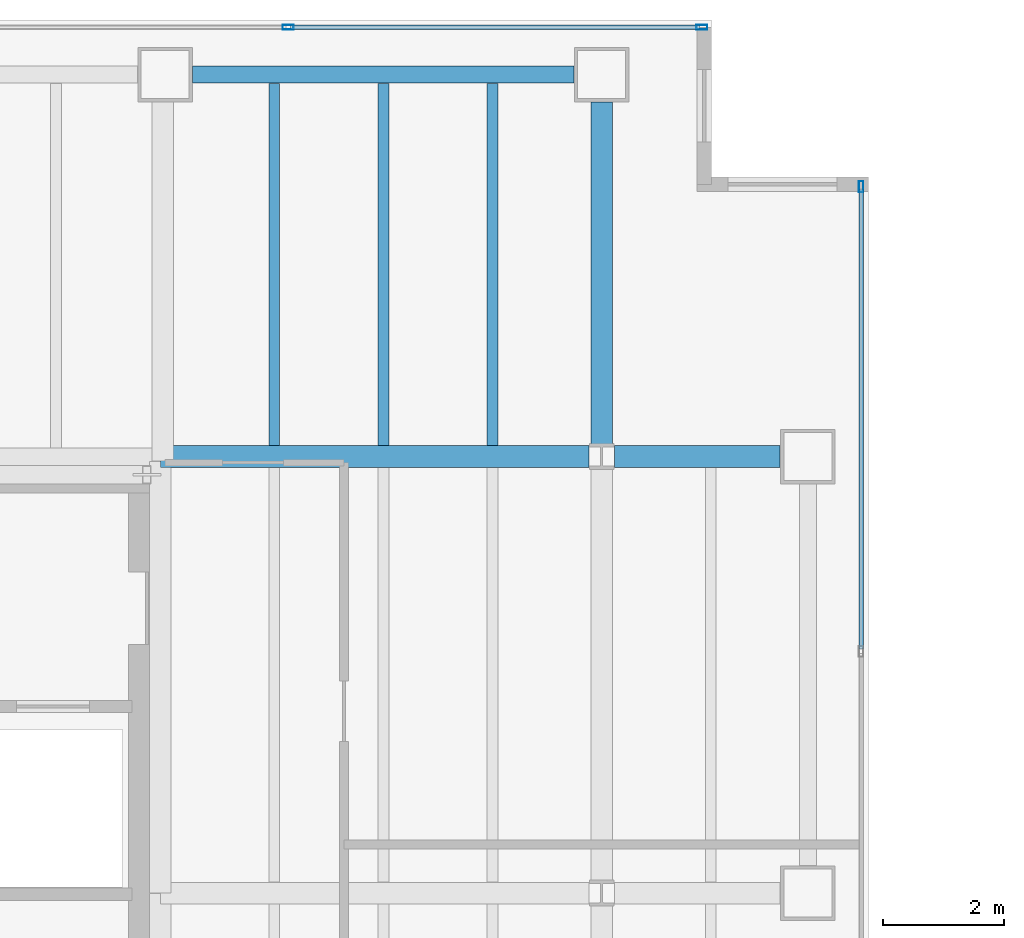
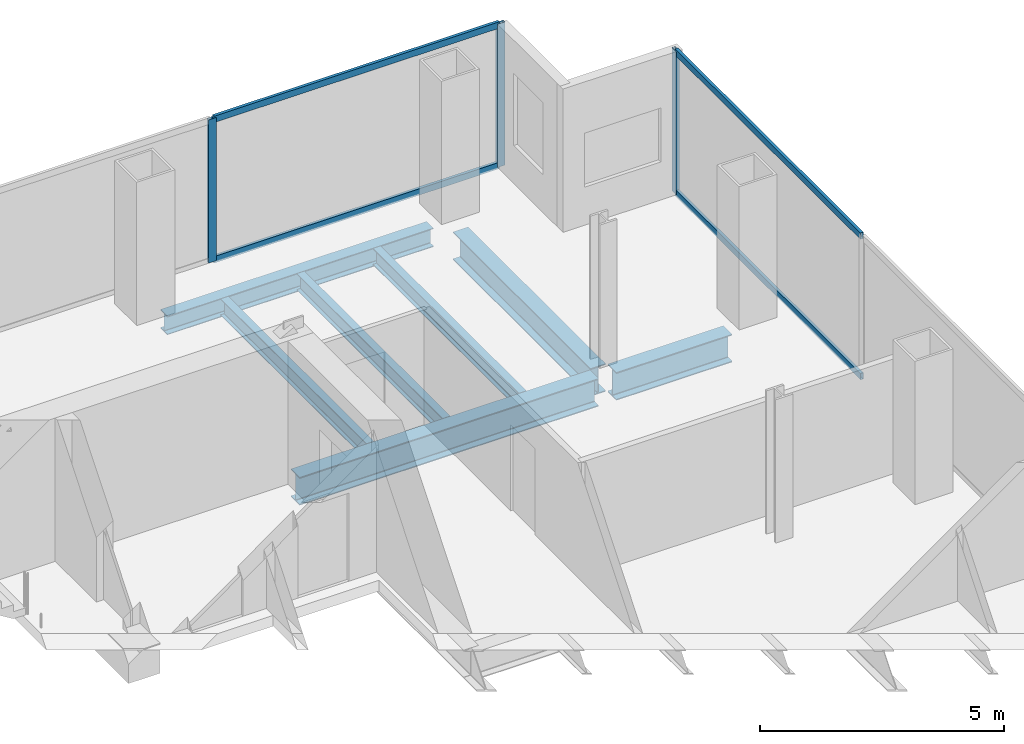
# One storey, part 18 of 23: 7 beams, 7 members, 2 elements without a shape of their own.
"""IFC4 building model written with IfcOpenShell, lengths in metres."""

from ifc_helpers import new_model, si_unit, direction, frame, origin, origin_2d, place, context, subcontext, project, spatial, hollow_rectangle, i_section, extrude, material, material_profile, profile_set, type_object, element, aggregate, save


model = new_model("IFC4")

# Units and contexts
model_context = context("Model", 3, precision=1e-05, world=origin(), true_north=direction((0.0, 1.0)))
body_context = subcontext(model_context, "Body", "Model", "MODEL_VIEW")
ifc_project = project(units=[si_unit("LENGTHUNIT", "METRE"), si_unit("AREAUNIT", "SQUARE_METRE"), si_unit("VOLUMEUNIT", "CUBIC_METRE"), si_unit("PLANEANGLEUNIT", "RADIAN"), si_unit("MASSUNIT", "GRAM", prefix="KILO")], contexts=[model_context])

# Site, building, storey
site_placement = place(None, origin())
site = spatial("IfcSite", under=ifc_project, at=site_placement, CompositionType="ELEMENT")
building_placement = place(site_placement, origin())
building = spatial("IfcBuilding", under=site, at=building_placement, Name="Cobrela Telecom Tower", CompositionType="ELEMENT")
storey_placement = place(building_placement, frame((0.0, 0.0, 144.550048828125)))
storey = spatial("IfcBuildingStorey", under=building, at=storey_placement, Name="L36", CompositionType="ELEMENT", Elevation=144.550048828125)

# Beams
ifc_material_1 = material(Name="Steel ASTM A992 Grade 50", Category="steel")
ifc_material_profile_1 = material_profile(ifc_material_1, i_section(OverallWidth=0.35595703125, OverallDepth=0.696044921875, WebThickness=0.015380859375, FlangeThickness=0.024658203125, FilletRadius=0.01806640625, at=origin_2d()), Name="W27X146")
ifc_profile_set_1 = profile_set([ifc_material_profile_1], Name="Steel ASTM A992 Grade 50")
beam_type_1 = type_object("IfcBeamType", Name="BM-GIRD-05", PredefinedType="USERDEFINED", material=ifc_profile_set_1)
beam_1_placement = place(storey_placement, frame((14.324951171875, 36.0, -0.6181640625), z_axis=(1.0, 0.0, 0.0), x_axis=(0.0, 1.0, 0.0)))
element("IfcBeam", 1, at=beam_1_placement, inside=storey, type_object=beam_type_1, Name="L36 Primary Girder X27", ObjectType="GIRDER", PredefinedType="USERDEFINED", context=body_context, shape_type="SweptSolid", body=[
    extrude(i_section(OverallWidth=0.35595703125, OverallDepth=0.696044921875, WebThickness=0.015380859375, FlangeThickness=0.024658203125, FilletRadius=0.01806640625, at=origin_2d()), origin(), (0.0, 0.0, 1.0), 7.0654296875),
])
beam_2_placement = place(storey_placement, frame((21.8095703125, 36.0, -0.6181640625), z_axis=(1.0, 0.0, 0.0), x_axis=(0.0, 1.0, 0.0)))
element("IfcBeam", 2, at=beam_2_placement, inside=storey, type_object=beam_type_1, Name="L36 Primary Girder X28", ObjectType="GIRDER", PredefinedType="USERDEFINED", context=body_context, shape_type="SweptSolid", body=[
    extrude(i_section(OverallWidth=0.35595703125, OverallDepth=0.696044921875, WebThickness=0.015380859375, FlangeThickness=0.024658203125, FilletRadius=0.01806640625, at=origin_2d()), origin(), (0.0, 0.0, 1.0), 2.7353515625),
])
beam_3_placement = place(storey_placement, frame((21.60009765625, 36.20947265625, -0.6181640625), z_axis=(0.0, 1.0, 0.0), x_axis=(-1.0, 0.0, 0.0)))
element("IfcBeam", 3, at=beam_3_placement, inside=storey, type_object=beam_type_1, Name="L36 Primary Girder Y44", ObjectType="GIRDER", PredefinedType="USERDEFINED", context=body_context, shape_type="SweptSolid", body=[
    extrude(i_section(OverallWidth=0.35595703125, OverallDepth=0.696044921875, WebThickness=0.015380859375, FlangeThickness=0.024658203125, FilletRadius=0.01806640625, at=origin_2d()), origin(), (0.0, 0.0, 1.0), 5.635498046875),
])
ifc_material_profile_2 = material_profile(ifc_material_1, i_section(OverallWidth=0.179931640625, OverallDepth=0.4169921875, WebThickness=0.010986328125, FlangeThickness=0.01806640625, FilletRadius=0.011962890625, at=origin_2d()), Name="W16X57")
ifc_profile_set_2 = profile_set([ifc_material_profile_2], Name="Steel ASTM A992 Grade 50")
beam_type_2 = type_object("IfcBeamType", Name="BM-JOIST-04", PredefinedType="JOIST", material=ifc_profile_set_2)
for number, where, z_axis, x_axis, name in (
    (4, (16.199951171875, 36.18310546875, -0.478515625), (0.0, 1.0, 0.0), (-1.0, 0.0, 0.0), "L36 Secondary Composite Floor Beam J08"),
    (5, (18.0, 36.18310546875, -0.478515625), (0.0, 1.0, 0.0), (-1.0, 0.0, 0.0), "L36 Secondary Composite Floor Beam J13"),
    (6, (19.800048828125, 36.18310546875, -0.478515625), (0.0, 1.0, 0.0), (-1.0, 0.0, 0.0), "L36 Secondary Composite Floor Beam J18"),
):
    element("IfcBeam", number, at=place(storey_placement, frame(where, z_axis=z_axis, x_axis=x_axis)), inside=storey, type_object=beam_type_2, Name=name, PredefinedType="JOIST", context=body_context, shape_type="SweptSolid", body=[
        extrude(i_section(OverallWidth=0.179931640625, OverallDepth=0.4169921875, WebThickness=0.010986328125, FlangeThickness=0.01806640625, FilletRadius=0.011962890625, at=origin_2d()), origin(), (0.0, 0.0, 1.0), 5.970947265625),
    ])
ifc_material_profile_3 = material_profile(ifc_material_1, i_section(OverallWidth=0.281982421875, OverallDepth=0.467041015625, WebThickness=0.01220703125, FlangeThickness=0.01953125, FilletRadius=0.012939453125, at=origin_2d()), Name="W18X86")
ifc_profile_set_3 = profile_set([ifc_material_profile_3], Name="Steel ASTM A992 Grade 50")
beam_type_3 = type_object("IfcBeamType", Name="BM-SPAND-04", PredefinedType="SPANDREL", material=ifc_profile_set_3)
beam_4_placement = place(storey_placement, frame((14.85498046875, 42.300048828125, -0.503662109375), z_axis=(1.0, 0.0, 0.0), x_axis=(0.0, 1.0, 0.0)))
element("IfcBeam", 7, at=beam_4_placement, inside=storey, type_object=beam_type_3, Name="L36 Perimeter Spandrel X30", PredefinedType="SPANDREL", context=body_context, shape_type="SweptSolid", body=[
    extrude(i_section(OverallWidth=0.281982421875, OverallDepth=0.467041015625, WebThickness=0.01220703125, FlangeThickness=0.01953125, FilletRadius=0.012939453125, at=origin_2d()), origin(), (0.0, 0.0, 1.0), 6.2900390625),
])

# Curtain wall, members
ifc_material_2 = material(Name="Anodized Bronze Aluminium 6063-T6", Category="aluminium")
curtain_wall_type = type_object("IfcCurtainWallType", Name="CW-SYS-TEL", PredefinedType="USERDEFINED", material=ifc_material_2)
curtain_wall_1_placement = place(storey_placement, origin())
curtain_wall_1 = element("IfcCurtainWall", 8, at=curtain_wall_1_placement, inside=storey, type_object=curtain_wall_type, Name="L36 Unitised Bronze Curtain Wall 07", ObjectType="UNITISED CURTAIN WALL", PredefinedType="USERDEFINED")
ifc_material_profile_4 = material_profile(ifc_material_2, hollow_rectangle(XDim=0.074951171875, YDim=0.179931640625, WallThickness=0.00390625, at=origin_2d()), Name="ALU 75x180x4")
ifc_profile_set_4 = profile_set([ifc_material_profile_4], Name="Anodized Bronze Aluminium 6063-T6")
member_type_1 = type_object("IfcMemberType", Name="CW-SYS-TEL-MUL", PredefinedType="MULLION", material=ifc_profile_set_4)
member_1_placement = place(storey_placement, frame((16.429931640625, 43.080078125, 0.0), z_axis=(0.0, 0.0, 1.0), x_axis=(0.0, 1.0, 0.0)))
member_1 = element("IfcMember", 9, at=member_1_placement, type_object=member_type_1, Name="CW-TEL mullion 3", PredefinedType="MULLION", context=body_context, shape_type="SweptSolid", body=[
    extrude(hollow_rectangle(XDim=0.074951171875, YDim=0.179931640625, WallThickness=0.00390625, at=origin_2d()), origin(), (0.0, 0.0, 1.0), 3.579833984375),
])
member_2_placement = place(storey_placement, frame((23.25244140625, 43.080078125, 0.0), z_axis=(0.0, 0.0, 1.0), x_axis=(0.0, 1.0, 0.0)))
member_2 = element("IfcMember", 10, at=member_2_placement, type_object=member_type_1, Name="CW-TEL mullion 4", PredefinedType="MULLION", context=body_context, shape_type="SweptSolid", body=[
    extrude(hollow_rectangle(XDim=0.074951171875, YDim=0.179931640625, WallThickness=0.00390625, at=origin_2d()), origin(), (0.0, 0.0, 1.0), 3.579833984375),
])

# Curtain wall, member
curtain_wall_2_placement = place(storey_placement, origin())
curtain_wall_2 = element("IfcCurtainWall", 11, at=curtain_wall_2_placement, inside=storey, type_object=curtain_wall_type, Name="L36 Unitised Bronze Curtain Wall 10", ObjectType="UNITISED CURTAIN WALL", PredefinedType="USERDEFINED")
member_3_placement = place(storey_placement, frame((25.8798828125, 40.452392578125, 0.0), z_axis=(0.0, 0.0, 1.0), x_axis=(1.0, 0.0, 0.0)))
member_3 = element("IfcMember", 12, at=member_3_placement, type_object=member_type_1, Name="CW-TEL mullion 1", PredefinedType="MULLION", context=body_context, shape_type="SweptSolid", body=[
    extrude(hollow_rectangle(XDim=0.074951171875, YDim=0.179931640625, WallThickness=0.00390625, at=origin_2d()), origin(), (0.0, 0.0, 1.0), 3.579833984375),
])

# Member
ifc_material_profile_5 = material_profile(ifc_material_2, hollow_rectangle(XDim=0.070068359375, YDim=0.159912109375, WallThickness=0.00390625, at=origin_2d()), Name="ALU 70x160x4")
ifc_profile_set_5 = profile_set([ifc_material_profile_5], Name="Anodized Bronze Aluminium 6063-T6")
member_type_2 = type_object("IfcMemberType", Name="CW-SYS-TEL-TRN", PredefinedType="USERDEFINED", material=ifc_profile_set_5)
member_4_placement = place(storey_placement, frame((16.467529296875, 43.080078125, 0.034912109375), z_axis=(1.0, 0.0, 0.0), x_axis=(0.0, 1.0, 0.0)))
member_4 = element("IfcMember", 13, at=member_4_placement, type_object=member_type_2, Name="CW-TEL transom 3.1", ObjectType="TRANSOM", PredefinedType="USERDEFINED", context=body_context, shape_type="SweptSolid", body=[
    extrude(hollow_rectangle(XDim=0.070068359375, YDim=0.159912109375, WallThickness=0.00390625, at=origin_2d()), origin(), (0.0, 0.0, 1.0), 6.74755859375),
])

member_5_placement = place(storey_placement, frame((16.467529296875, 43.080078125, 3.544921875), z_axis=(1.0, 0.0, 0.0), x_axis=(0.0, 1.0, 0.0)))
member_5 = element("IfcMember", 14, at=member_5_placement, type_object=member_type_2, Name="CW-TEL transom 3.2", ObjectType="TRANSOM", PredefinedType="USERDEFINED", context=body_context, shape_type="SweptSolid", body=[
    extrude(hollow_rectangle(XDim=0.070068359375, YDim=0.159912109375, WallThickness=0.00390625, at=origin_2d()), origin(), (0.0, 0.0, 1.0), 6.74755859375),
])

aggregate(curtain_wall_1, [member_1, member_2, member_4, member_5])

member_6_placement = place(storey_placement, frame((25.8798828125, 40.4150390625, 0.034912109375), z_axis=(0.0, -1.0, 0.0), x_axis=(1.0, 0.0, 0.0)))
member_6 = element("IfcMember", 15, at=member_6_placement, type_object=member_type_2, Name="CW-TEL transom 1.1", ObjectType="TRANSOM", PredefinedType="USERDEFINED", context=body_context, shape_type="SweptSolid", body=[
    extrude(hollow_rectangle(XDim=0.070068359375, YDim=0.159912109375, WallThickness=0.00390625, at=origin_2d()), origin(), (0.0, 0.0, 1.0), 7.592529296875),
])

member_7_placement = place(storey_placement, frame((25.8798828125, 40.4150390625, 3.544921875), z_axis=(0.0, -1.0, 0.0), x_axis=(1.0, 0.0, 0.0)))
member_7 = element("IfcMember", 16, at=member_7_placement, type_object=member_type_2, Name="CW-TEL transom 1.2", ObjectType="TRANSOM", PredefinedType="USERDEFINED", context=body_context, shape_type="SweptSolid", body=[
    extrude(hollow_rectangle(XDim=0.070068359375, YDim=0.159912109375, WallThickness=0.00390625, at=origin_2d()), origin(), (0.0, 0.0, 1.0), 7.592529296875),
])

aggregate(curtain_wall_2, [member_3, member_6, member_7])

save(model, "model.ifc")
